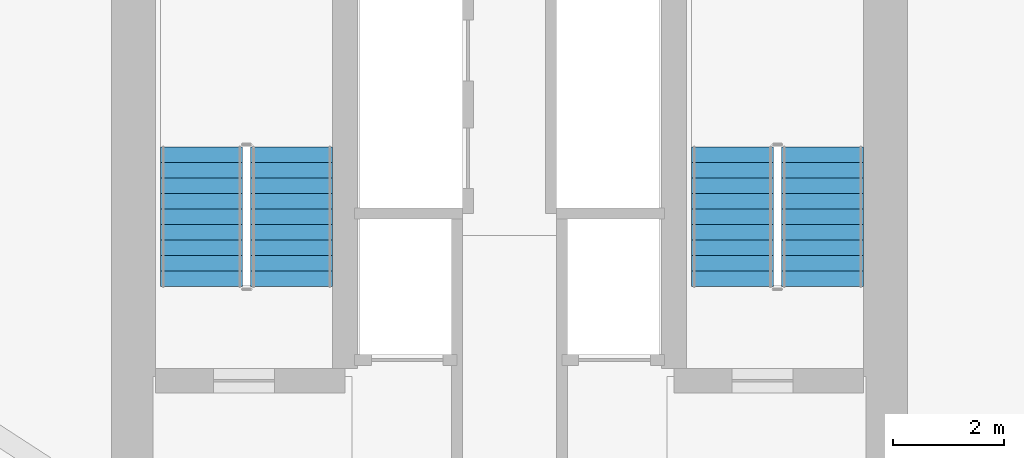
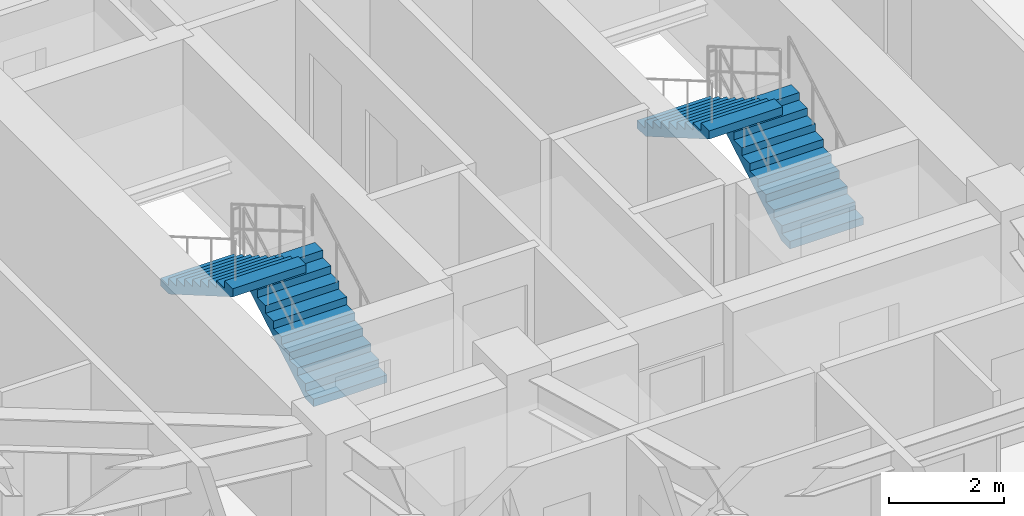
# One storey, part 36 of 38: 4 stair flights, 2 elements without a shape of their own.
"""IFC4 building model written with IfcOpenShell, lengths in metres."""

from ifc_helpers import new_model, si_unit, direction, frame, origin, place, context, subcontext, project, spatial, polyline, outline, extrude, material, type_object, element, aggregate, save


model = new_model("IFC4")

# Units and contexts
model_context = context("Model", 3, precision=1e-05, world=origin(), true_north=direction((0.0, 1.0)))
body_context = subcontext(model_context, "Body", "Model", "MODEL_VIEW")
ifc_project = project(units=[si_unit("LENGTHUNIT", "METRE"), si_unit("AREAUNIT", "SQUARE_METRE"), si_unit("VOLUMEUNIT", "CUBIC_METRE"), si_unit("PLANEANGLEUNIT", "RADIAN"), si_unit("MASSUNIT", "GRAM", prefix="KILO")], contexts=[model_context])

# Site, building, storey
site_placement = place(None, origin())
site = spatial("IfcSite", under=ifc_project, at=site_placement, CompositionType="ELEMENT")
building_placement = place(site_placement, origin())
building = spatial("IfcBuilding", under=site, at=building_placement, Name="Veraguas Prism Commons", CompositionType="ELEMENT")
storey_placement = place(building_placement, frame((0.0, 0.0, 64.10009765625)))
storey = spatial("IfcBuildingStorey", under=building, at=storey_placement, Name="L17", CompositionType="ELEMENT", Elevation=64.10009765625)

# Stair, stair flights
ifc_material = material(Name="Precast concrete C45/55", Category="concrete")
stair_type = type_object("IfcStairType", Name="Dogleg Core Stair 1480W 20R 05", PredefinedType="HALF_TURN_STAIR", material=ifc_material)
stair_1_placement = place(storey_placement, origin())
stair_1 = element("IfcStair", 1, at=stair_1_placement, inside=storey, type_object=stair_type, Name="Protected Exit Stair ST-01 L17", PredefinedType="HALF_TURN_STAIR")
stair_flight_type = type_object("IfcStairFlightType", Name="Precast Stair Flight 1480W 10R 05", PredefinedType="STRAIGHT", material=ifc_material)
stair_flight_1_placement = place(storey_placement, frame((20.06005859375, 21.280029296875, 0.0), z_axis=(0.0, 0.0, 1.0), x_axis=(0.0, 1.0, 0.0)))
stair_flight_1 = element("IfcStairFlight", 2, at=stair_flight_1_placement, type_object=stair_flight_type, Name="ST-05 Flight 1", NumberOfRisers=10, NumberOfTreads=9, PredefinedType="STRAIGHT", RiserHeight=0.1625, TreadLength=0.28, context=body_context, shape_type="SweptSolid", body=[
    extrude(outline(polyline([(0.0, 0.0), (0.0, 0.16259765625), (0.280029296875, 0.16259765625), (0.280029296875, 0.324951171875), (0.56005859375, 0.324951171875), (0.56005859375, 0.487548828125), (0.840087890625, 0.487548828125), (0.840087890625, 0.64990234375), (1.1201171875, 0.64990234375), (1.1201171875, 0.8125), (1.39990234375, 0.8125), (1.39990234375, 0.97509765625), (1.679931640625, 0.97509765625), (1.679931640625, 1.137451171875), (1.9599609375, 1.137451171875), (1.9599609375, 1.300048828125), (2.239990234375, 1.300048828125), (2.239990234375, 1.46240234375), (2.52001953125, 1.46240234375), (2.52001953125, 1.625), (2.52001953125, 1.2890625), (0.298583984375, 0.0), (0.0, 0.0)])), frame((0.0, 0.739990234375, 0.0), z_axis=(0.0, -1.0, 0.0), x_axis=(1.0, 0.0, 0.0)), (0.0, 0.0, 1.0), 1.47998046875),
])
stair_flight_2_placement = place(storey_placement, frame((18.429931640625, 23.800048828125, 1.625), z_axis=(0.0, 0.0, 1.0), x_axis=(0.0, -1.0, 0.0)))
stair_flight_2 = element("IfcStairFlight", 3, at=stair_flight_2_placement, type_object=stair_flight_type, Name="ST-05 Flight 2", NumberOfRisers=10, NumberOfTreads=9, PredefinedType="STRAIGHT", RiserHeight=0.1625, TreadLength=0.28, context=body_context, shape_type="SweptSolid", body=[
    extrude(outline(polyline([(0.0, 0.0), (0.0, 0.16259765625), (0.280029296875, 0.16259765625), (0.280029296875, 0.324951171875), (0.56005859375, 0.324951171875), (0.56005859375, 0.487548828125), (0.840087890625, 0.487548828125), (0.840087890625, 0.64990234375), (1.1201171875, 0.64990234375), (1.1201171875, 0.8125), (1.39990234375, 0.8125), (1.39990234375, 0.97509765625), (1.679931640625, 0.97509765625), (1.679931640625, 1.137451171875), (1.9599609375, 1.137451171875), (1.9599609375, 1.300048828125), (2.239990234375, 1.300048828125), (2.239990234375, 1.46240234375), (2.52001953125, 1.46240234375), (2.52001953125, 1.625), (2.52001953125, 1.2890625), (0.298583984375, 0.0), (0.0, 0.0)])), frame((0.0, 0.739990234375, 0.0), z_axis=(0.0, -1.0, 0.0), x_axis=(1.0, 0.0, 0.0)), (0.0, 0.0, 1.0), 1.47998046875),
])
aggregate(stair_1, [stair_flight_1, stair_flight_2])

stair_2_placement = place(storey_placement, origin())
stair_2 = element("IfcStair", 4, at=stair_2_placement, inside=storey, type_object=stair_type, Name="Protected Exit Stair ST-02 L17", PredefinedType="HALF_TURN_STAIR")
stair_flight_3_placement = place(storey_placement, frame((29.659912109375, 21.280029296875, 0.0), z_axis=(0.0, 0.0, 1.0), x_axis=(0.0, 1.0, 0.0)))
stair_flight_3 = element("IfcStairFlight", 5, at=stair_flight_3_placement, type_object=stair_flight_type, Name="ST-05 Flight 1", NumberOfRisers=10, NumberOfTreads=9, PredefinedType="STRAIGHT", RiserHeight=0.1625, TreadLength=0.28, context=body_context, shape_type="SweptSolid", body=[
    extrude(outline(polyline([(0.0, 0.0), (0.0, 0.16259765625), (0.280029296875, 0.16259765625), (0.280029296875, 0.324951171875), (0.56005859375, 0.324951171875), (0.56005859375, 0.487548828125), (0.840087890625, 0.487548828125), (0.840087890625, 0.64990234375), (1.1201171875, 0.64990234375), (1.1201171875, 0.8125), (1.39990234375, 0.8125), (1.39990234375, 0.97509765625), (1.679931640625, 0.97509765625), (1.679931640625, 1.137451171875), (1.9599609375, 1.137451171875), (1.9599609375, 1.300048828125), (2.239990234375, 1.300048828125), (2.239990234375, 1.46240234375), (2.52001953125, 1.46240234375), (2.52001953125, 1.625), (2.52001953125, 1.2890625), (0.298583984375, 0.0), (0.0, 0.0)])), frame((0.0, 0.739990234375, 0.0), z_axis=(0.0, -1.0, 0.0), x_axis=(1.0, 0.0, 0.0)), (0.0, 0.0, 1.0), 1.47998046875),
])
stair_flight_4_placement = place(storey_placement, frame((28.030029296875, 23.800048828125, 1.625), z_axis=(0.0, 0.0, 1.0), x_axis=(0.0, -1.0, 0.0)))
stair_flight_4 = element("IfcStairFlight", 6, at=stair_flight_4_placement, type_object=stair_flight_type, Name="ST-05 Flight 2", NumberOfRisers=10, NumberOfTreads=9, PredefinedType="STRAIGHT", RiserHeight=0.1625, TreadLength=0.28, context=body_context, shape_type="SweptSolid", body=[
    extrude(outline(polyline([(0.0, 0.0), (0.0, 0.16259765625), (0.280029296875, 0.16259765625), (0.280029296875, 0.324951171875), (0.56005859375, 0.324951171875), (0.56005859375, 0.487548828125), (0.840087890625, 0.487548828125), (0.840087890625, 0.64990234375), (1.1201171875, 0.64990234375), (1.1201171875, 0.8125), (1.39990234375, 0.8125), (1.39990234375, 0.97509765625), (1.679931640625, 0.97509765625), (1.679931640625, 1.137451171875), (1.9599609375, 1.137451171875), (1.9599609375, 1.300048828125), (2.239990234375, 1.300048828125), (2.239990234375, 1.46240234375), (2.52001953125, 1.46240234375), (2.52001953125, 1.625), (2.52001953125, 1.2890625), (0.298583984375, 0.0), (0.0, 0.0)])), frame((0.0, 0.739990234375, 0.0), z_axis=(0.0, -1.0, 0.0), x_axis=(1.0, 0.0, 0.0)), (0.0, 0.0, 1.0), 1.47998046875),
])
aggregate(stair_2, [stair_flight_3, stair_flight_4])

save(model, "model.ifc")
